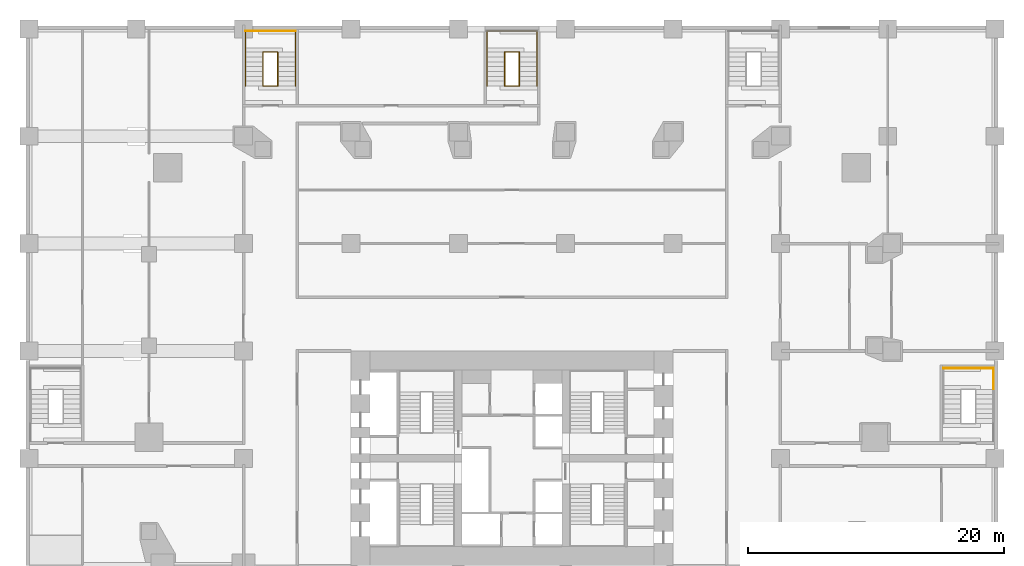
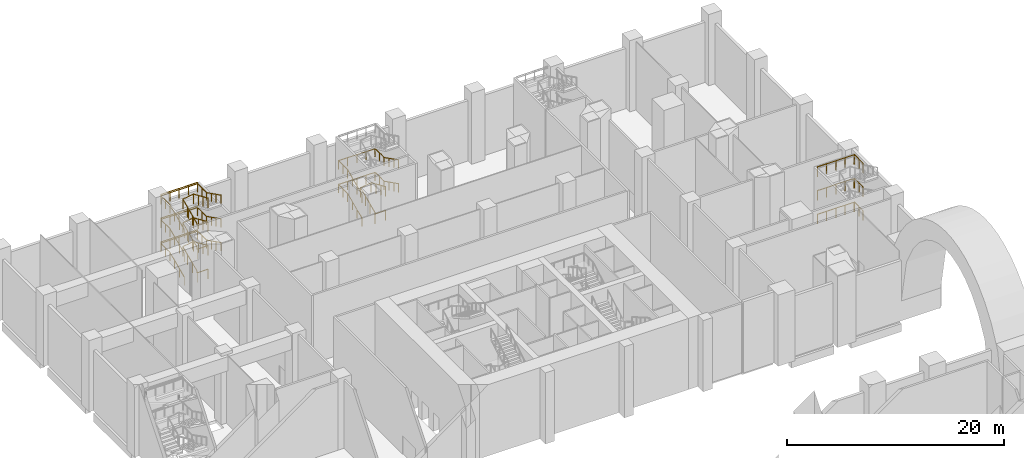
# One storey, part 18 of 19: 18 railings.
"""IFC4 building model written with IfcOpenShell, lengths in metres."""

from ifc_helpers import new_model, si_unit, direction, frame, origin, origin_2d, place, context, subcontext, project, spatial, circle, extrude, material, type_object, element, save


model = new_model("IFC4")

# Units and contexts
model_context = context("Model", 3, precision=1e-05, world=origin(), true_north=direction((0.0, 1.0)))
body_context = subcontext(model_context, "Body", "Model", "MODEL_VIEW")
ifc_project = project(units=[si_unit("LENGTHUNIT", "METRE"), si_unit("AREAUNIT", "SQUARE_METRE"), si_unit("VOLUMEUNIT", "CUBIC_METRE"), si_unit("PLANEANGLEUNIT", "RADIAN"), si_unit("MASSUNIT", "GRAM", prefix="KILO")], contexts=[model_context])

# Site, building, storey
site_placement = place(None, origin())
site = spatial("IfcSite", under=ifc_project, at=site_placement, CompositionType="ELEMENT")
building_placement = place(site_placement, origin())
building = spatial("IfcBuilding", under=site, at=building_placement, Name="Marenta Gate Hotel Tower", CompositionType="ELEMENT")
storey_placement = place(building_placement, frame((0.0, 0.0, 13.0)))
storey = spatial("IfcBuildingStorey", under=building, at=storey_placement, Name="L02", CompositionType="ELEMENT", Elevation=13.0)

# Railings
ifc_material_1 = material(Name="Stainless steel", Category="steel")
railing_type_1 = type_object("IfcRailingType", Name="Core stair handrail 950", PredefinedType="HANDRAIL", material=ifc_material_1)
railing_1_placement = place(storey_placement, frame((-20.85009765625, 37.530029296875, 0.166748046875)))
element("IfcRailing", 1, at=railing_1_placement, inside=storey, type_object=railing_type_1, Name="HR-950 L02-KR-PX3-2", PredefinedType="HANDRAIL", context=body_context, shape_type="SweptSolid", body=[
    extrude(circle(Radius=0.02392578125, at=origin_2d()), frame((0.0, 0.0, 0.92578125), z_axis=(0.0, 0.915803938995, 0.401625628317), x_axis=(-1.0, 0.0, 0.0)), (0.0, 0.0, 1.0), 2.904541015625),
    extrude(circle(Radius=0.02392578125, at=origin_2d()), frame((0.0, 2.659912109375, 2.09228515625), z_axis=(0.0, 1.0, 0.0), x_axis=(-1.0, 0.0, 0.0)), (0.0, 0.0, 1.0), 1.66015625),
    extrude(circle(Radius=0.02392578125, at=origin_2d()), frame((0.0, 4.320068359375, 2.09228515625), z_axis=(1.0, 0.0, 0.0), x_axis=(0.0, 1.0, 0.0)), (0.0, 0.0, 1.0), 3.900146484375),
    extrude(circle(Radius=0.02392578125, at=origin_2d()), frame((3.900146484375, 4.320068359375, 2.09228515625), z_axis=(0.0, -1.0, 0.0), x_axis=(1.0, 0.0, 0.0)), (0.0, 0.0, 1.0), 1.66015625),
    extrude(circle(Radius=0.02392578125, at=origin_2d()), frame((3.900146484375, 2.659912109375, 2.09228515625), z_axis=(0.0, -0.89395078604, 0.448165139362), x_axis=(1.0, 0.0, 0.0)), (0.0, 0.0, 1.0), 2.975341796875),
    extrude(circle(Radius=0.02099609375, at=origin_2d()), origin(), (0.0, 0.0, 1.0), 0.90185546875),
    extrude(circle(Radius=0.02099609375, at=origin_2d()), frame((0.0, 0.88671875, 0.388916015625)), (0.0, 0.0, 1.0), 0.90185546875),
    extrude(circle(Radius=0.02099609375, at=origin_2d()), frame((0.0, 1.773193359375, 0.777587890625)), (0.0, 0.0, 1.0), 0.90185546875),
    extrude(circle(Radius=0.02099609375, at=origin_2d()), frame((0.0, 2.659912109375, 1.16650390625)), (0.0, 0.0, 1.0), 0.90185546875),
    extrude(circle(Radius=0.02099609375, at=origin_2d()), frame((0.0, 3.489990234375, 1.16650390625)), (0.0, 0.0, 1.0), 0.90185546875),
    extrude(circle(Radius=0.02099609375, at=origin_2d()), frame((0.0, 4.320068359375, 1.16650390625)), (0.0, 0.0, 1.0), 0.90185546875),
    extrude(circle(Radius=0.02099609375, at=origin_2d()), frame((0.97509765625, 4.320068359375, 1.16650390625)), (0.0, 0.0, 1.0), 0.90185546875),
    extrude(circle(Radius=0.02099609375, at=origin_2d()), frame((1.9501953125, 4.320068359375, 1.16650390625)), (0.0, 0.0, 1.0), 0.90185546875),
    extrude(circle(Radius=0.02099609375, at=origin_2d()), frame((2.925048828125, 4.320068359375, 1.16650390625)), (0.0, 0.0, 1.0), 0.90185546875),
    extrude(circle(Radius=0.02099609375, at=origin_2d()), frame((3.900146484375, 4.320068359375, 1.16650390625)), (0.0, 0.0, 1.0), 0.90185546875),
    extrude(circle(Radius=0.02099609375, at=origin_2d()), frame((3.900146484375, 3.489990234375, 1.16650390625)), (0.0, 0.0, 1.0), 0.90185546875),
    extrude(circle(Radius=0.02099609375, at=origin_2d()), frame((3.900146484375, 2.659912109375, 1.16650390625)), (0.0, 0.0, 1.0), 0.90185546875),
    extrude(circle(Radius=0.02099609375, at=origin_2d()), frame((3.900146484375, 1.773193359375, 1.611083984375)), (0.0, 0.0, 1.0), 0.90185546875),
    extrude(circle(Radius=0.02099609375, at=origin_2d()), frame((3.900146484375, 0.88671875, 2.055419921875)), (0.0, 0.0, 1.0), 0.90185546875),
    extrude(circle(Radius=0.02099609375, at=origin_2d()), frame((3.900146484375, 0.0, 2.5)), (0.0, 0.0, 1.0), 0.90185546875),
])
railing_2_placement = place(storey_placement, frame((-20.85009765625, 37.530029296875, 2.833251953125)))
element("IfcRailing", 2, at=railing_2_placement, inside=storey, type_object=railing_type_1, Name="HR-950 L02-KR-PX3-5", PredefinedType="HANDRAIL", context=body_context, shape_type="SweptSolid", body=[
    extrude(circle(Radius=0.02392578125, at=origin_2d()), frame((0.0, 0.0, 0.92578125), z_axis=(0.0, 0.915773020194, 0.401696123314), x_axis=(-1.0, 0.0, 0.0)), (0.0, 0.0, 1.0), 2.904541015625),
    extrude(circle(Radius=0.02392578125, at=origin_2d()), frame((0.0, 2.659912109375, 2.0927734375), z_axis=(0.0, 1.0, 0.0), x_axis=(-1.0, 0.0, 0.0)), (0.0, 0.0, 1.0), 1.66015625),
    extrude(circle(Radius=0.02392578125, at=origin_2d()), frame((0.0, 4.320068359375, 2.0927734375), z_axis=(1.0, 0.0, 0.0), x_axis=(0.0, 1.0, 0.0)), (0.0, 0.0, 1.0), 3.900146484375),
    extrude(circle(Radius=0.02392578125, at=origin_2d()), frame((3.900146484375, 4.320068359375, 2.0927734375), z_axis=(0.0, -1.0, 0.0), x_axis=(1.0, 0.0, 0.0)), (0.0, 0.0, 1.0), 1.66015625),
    extrude(circle(Radius=0.02392578125, at=origin_2d()), frame((3.900146484375, 2.659912109375, 2.0927734375), z_axis=(0.0, -0.893983657746, 0.448099564475), x_axis=(1.0, 0.0, 0.0)), (0.0, 0.0, 1.0), 2.975341796875),
    extrude(circle(Radius=0.02099609375, at=origin_2d()), origin(), (0.0, 0.0, 1.0), 0.90185546875),
    extrude(circle(Radius=0.02099609375, at=origin_2d()), frame((0.0, 0.88671875, 0.388916015625)), (0.0, 0.0, 1.0), 0.90185546875),
    extrude(circle(Radius=0.02099609375, at=origin_2d()), frame((0.0, 1.773193359375, 0.77783203125)), (0.0, 0.0, 1.0), 0.90185546875),
    extrude(circle(Radius=0.02099609375, at=origin_2d()), frame((0.0, 2.659912109375, 1.166748046875)), (0.0, 0.0, 1.0), 0.90185546875),
    extrude(circle(Radius=0.02099609375, at=origin_2d()), frame((0.0, 3.489990234375, 1.166748046875)), (0.0, 0.0, 1.0), 0.90185546875),
    extrude(circle(Radius=0.02099609375, at=origin_2d()), frame((0.0, 4.320068359375, 1.166748046875)), (0.0, 0.0, 1.0), 0.90185546875),
    extrude(circle(Radius=0.02099609375, at=origin_2d()), frame((0.97509765625, 4.320068359375, 1.166748046875)), (0.0, 0.0, 1.0), 0.90185546875),
    extrude(circle(Radius=0.02099609375, at=origin_2d()), frame((1.9501953125, 4.320068359375, 1.166748046875)), (0.0, 0.0, 1.0), 0.90185546875),
    extrude(circle(Radius=0.02099609375, at=origin_2d()), frame((2.925048828125, 4.320068359375, 1.166748046875)), (0.0, 0.0, 1.0), 0.90185546875),
    extrude(circle(Radius=0.02099609375, at=origin_2d()), frame((3.900146484375, 4.320068359375, 1.166748046875)), (0.0, 0.0, 1.0), 0.90185546875),
    extrude(circle(Radius=0.02099609375, at=origin_2d()), frame((3.900146484375, 3.489990234375, 1.166748046875)), (0.0, 0.0, 1.0), 0.90185546875),
    extrude(circle(Radius=0.02099609375, at=origin_2d()), frame((3.900146484375, 2.659912109375, 1.166748046875)), (0.0, 0.0, 1.0), 0.90185546875),
    extrude(circle(Radius=0.02099609375, at=origin_2d()), frame((3.900146484375, 1.773193359375, 1.611083984375)), (0.0, 0.0, 1.0), 0.90185546875),
    extrude(circle(Radius=0.02099609375, at=origin_2d()), frame((3.900146484375, 0.88671875, 2.0556640625)), (0.0, 0.0, 1.0), 0.90185546875),
    extrude(circle(Radius=0.02099609375, at=origin_2d()), frame((3.900146484375, 0.0, 2.5)), (0.0, 0.0, 1.0), 0.90185546875),
])
railing_3_placement = place(storey_placement, frame((-20.85009765625, 37.530029296875, 5.5)))
element("IfcRailing", 3, at=railing_3_placement, inside=storey, type_object=railing_type_1, Name="HR-950 L02-KR-PX3-8", PredefinedType="HANDRAIL", context=body_context, shape_type="SweptSolid", body=[
    extrude(circle(Radius=0.02392578125, at=origin_2d()), frame((0.0, 0.0, 0.92578125), z_axis=(0.0, 0.915773020194, 0.401696123314), x_axis=(-1.0, 0.0, 0.0)), (0.0, 0.0, 1.0), 2.904541015625),
    extrude(circle(Radius=0.02392578125, at=origin_2d()), frame((0.0, 2.659912109375, 2.0927734375), z_axis=(0.0, 1.0, 0.0), x_axis=(-1.0, 0.0, 0.0)), (0.0, 0.0, 1.0), 1.66015625),
    extrude(circle(Radius=0.02392578125, at=origin_2d()), frame((0.0, 4.320068359375, 2.0927734375), z_axis=(1.0, 0.0, 0.0), x_axis=(0.0, 1.0, 0.0)), (0.0, 0.0, 1.0), 3.900146484375),
    extrude(circle(Radius=0.02392578125, at=origin_2d()), frame((3.900146484375, 4.320068359375, 2.0927734375), z_axis=(0.0, -1.0, 0.0), x_axis=(1.0, 0.0, 0.0)), (0.0, 0.0, 1.0), 1.66015625),
    extrude(circle(Radius=0.02392578125, at=origin_2d()), frame((3.900146484375, 2.659912109375, 2.0927734375), z_axis=(0.0, -0.893983657746, 0.448099564475), x_axis=(1.0, 0.0, 0.0)), (0.0, 0.0, 1.0), 2.975341796875),
    extrude(circle(Radius=0.02099609375, at=origin_2d()), origin(), (0.0, 0.0, 1.0), 0.90185546875),
    extrude(circle(Radius=0.02099609375, at=origin_2d()), frame((0.0, 0.88671875, 0.388916015625)), (0.0, 0.0, 1.0), 0.90185546875),
    extrude(circle(Radius=0.02099609375, at=origin_2d()), frame((0.0, 1.773193359375, 0.77783203125)), (0.0, 0.0, 1.0), 0.90185546875),
    extrude(circle(Radius=0.02099609375, at=origin_2d()), frame((0.0, 2.659912109375, 1.166748046875)), (0.0, 0.0, 1.0), 0.90185546875),
    extrude(circle(Radius=0.02099609375, at=origin_2d()), frame((0.0, 3.489990234375, 1.166748046875)), (0.0, 0.0, 1.0), 0.90185546875),
    extrude(circle(Radius=0.02099609375, at=origin_2d()), frame((0.0, 4.320068359375, 1.166748046875)), (0.0, 0.0, 1.0), 0.90185546875),
    extrude(circle(Radius=0.02099609375, at=origin_2d()), frame((0.97509765625, 4.320068359375, 1.166748046875)), (0.0, 0.0, 1.0), 0.90185546875),
    extrude(circle(Radius=0.02099609375, at=origin_2d()), frame((1.9501953125, 4.320068359375, 1.166748046875)), (0.0, 0.0, 1.0), 0.90185546875),
    extrude(circle(Radius=0.02099609375, at=origin_2d()), frame((2.925048828125, 4.320068359375, 1.166748046875)), (0.0, 0.0, 1.0), 0.90185546875),
    extrude(circle(Radius=0.02099609375, at=origin_2d()), frame((3.900146484375, 4.320068359375, 1.166748046875)), (0.0, 0.0, 1.0), 0.90185546875),
    extrude(circle(Radius=0.02099609375, at=origin_2d()), frame((3.900146484375, 3.489990234375, 1.166748046875)), (0.0, 0.0, 1.0), 0.90185546875),
    extrude(circle(Radius=0.02099609375, at=origin_2d()), frame((3.900146484375, 2.659912109375, 1.166748046875)), (0.0, 0.0, 1.0), 0.90185546875),
    extrude(circle(Radius=0.02099609375, at=origin_2d()), frame((3.900146484375, 1.773193359375, 1.611083984375)), (0.0, 0.0, 1.0), 0.90185546875),
    extrude(circle(Radius=0.02099609375, at=origin_2d()), frame((3.900146484375, 0.88671875, 2.0556640625)), (0.0, 0.0, 1.0), 0.90185546875),
    extrude(circle(Radius=0.02099609375, at=origin_2d()), frame((3.900146484375, 0.0, 2.5)), (0.0, 0.0, 1.0), 0.90185546875),
])
railing_4_placement = place(storey_placement, frame((-1.949951171875, 37.530029296875, 0.166748046875)))
element("IfcRailing", 4, at=railing_4_placement, inside=storey, type_object=railing_type_1, Name="HR-950 L02-KR-PX8-2", PredefinedType="HANDRAIL", context=body_context, shape_type="SweptSolid", body=[
    extrude(circle(Radius=0.02392578125, at=origin_2d()), frame((0.0, 0.0, 0.92578125), z_axis=(0.0, 0.915803938995, 0.401625628317), x_axis=(-1.0, 0.0, 0.0)), (0.0, 0.0, 1.0), 2.904541015625),
    extrude(circle(Radius=0.02392578125, at=origin_2d()), frame((0.0, 2.659912109375, 2.09228515625), z_axis=(0.0, 1.0, 0.0), x_axis=(-1.0, 0.0, 0.0)), (0.0, 0.0, 1.0), 1.66015625),
    extrude(circle(Radius=0.02392578125, at=origin_2d()), frame((0.0, 4.320068359375, 2.09228515625), z_axis=(1.0, 0.0, 0.0), x_axis=(0.0, 1.0, 0.0)), (0.0, 0.0, 1.0), 3.89990234375),
    extrude(circle(Radius=0.02392578125, at=origin_2d()), frame((3.89990234375, 4.320068359375, 2.09228515625), z_axis=(0.0, -1.0, 0.0), x_axis=(1.0, 0.0, 0.0)), (0.0, 0.0, 1.0), 1.66015625),
    extrude(circle(Radius=0.02392578125, at=origin_2d()), frame((3.89990234375, 2.659912109375, 2.09228515625), z_axis=(0.0, -0.89395078604, 0.448165139362), x_axis=(1.0, 0.0, 0.0)), (0.0, 0.0, 1.0), 2.975341796875),
    extrude(circle(Radius=0.02099609375, at=origin_2d()), origin(), (0.0, 0.0, 1.0), 0.90185546875),
    extrude(circle(Radius=0.02099609375, at=origin_2d()), frame((0.0, 0.88671875, 0.388916015625)), (0.0, 0.0, 1.0), 0.90185546875),
    extrude(circle(Radius=0.02099609375, at=origin_2d()), frame((0.0, 1.773193359375, 0.777587890625)), (0.0, 0.0, 1.0), 0.90185546875),
    extrude(circle(Radius=0.02099609375, at=origin_2d()), frame((0.0, 2.659912109375, 1.16650390625)), (0.0, 0.0, 1.0), 0.90185546875),
    extrude(circle(Radius=0.02099609375, at=origin_2d()), frame((0.0, 3.489990234375, 1.16650390625)), (0.0, 0.0, 1.0), 0.90185546875),
    extrude(circle(Radius=0.02099609375, at=origin_2d()), frame((0.0, 4.320068359375, 1.16650390625)), (0.0, 0.0, 1.0), 0.90185546875),
    extrude(circle(Radius=0.02099609375, at=origin_2d()), frame((0.97509765625, 4.320068359375, 1.16650390625)), (0.0, 0.0, 1.0), 0.90185546875),
    extrude(circle(Radius=0.02099609375, at=origin_2d()), frame((1.949951171875, 4.320068359375, 1.16650390625)), (0.0, 0.0, 1.0), 0.90185546875),
    extrude(circle(Radius=0.02099609375, at=origin_2d()), frame((2.9248046875, 4.320068359375, 1.16650390625)), (0.0, 0.0, 1.0), 0.90185546875),
    extrude(circle(Radius=0.02099609375, at=origin_2d()), frame((3.89990234375, 4.320068359375, 1.16650390625)), (0.0, 0.0, 1.0), 0.90185546875),
    extrude(circle(Radius=0.02099609375, at=origin_2d()), frame((3.89990234375, 3.489990234375, 1.16650390625)), (0.0, 0.0, 1.0), 0.90185546875),
    extrude(circle(Radius=0.02099609375, at=origin_2d()), frame((3.89990234375, 2.659912109375, 1.16650390625)), (0.0, 0.0, 1.0), 0.90185546875),
    extrude(circle(Radius=0.02099609375, at=origin_2d()), frame((3.89990234375, 1.773193359375, 1.611083984375)), (0.0, 0.0, 1.0), 0.90185546875),
    extrude(circle(Radius=0.02099609375, at=origin_2d()), frame((3.89990234375, 0.88671875, 2.055419921875)), (0.0, 0.0, 1.0), 0.90185546875),
    extrude(circle(Radius=0.02099609375, at=origin_2d()), frame((3.89990234375, 0.0, 2.5)), (0.0, 0.0, 1.0), 0.90185546875),
])
railing_5_placement = place(storey_placement, frame((-1.949951171875, 37.530029296875, 2.833251953125)))
element("IfcRailing", 5, at=railing_5_placement, inside=storey, type_object=railing_type_1, Name="HR-950 L02-KR-PX8-5", PredefinedType="HANDRAIL", context=body_context, shape_type="SweptSolid", body=[
    extrude(circle(Radius=0.02392578125, at=origin_2d()), frame((0.0, 0.0, 0.92578125), z_axis=(0.0, 0.915773020194, 0.401696123314), x_axis=(-1.0, 0.0, 0.0)), (0.0, 0.0, 1.0), 2.904541015625),
    extrude(circle(Radius=0.02392578125, at=origin_2d()), frame((0.0, 2.659912109375, 2.0927734375), z_axis=(0.0, 1.0, 0.0), x_axis=(-1.0, 0.0, 0.0)), (0.0, 0.0, 1.0), 1.66015625),
    extrude(circle(Radius=0.02392578125, at=origin_2d()), frame((0.0, 4.320068359375, 2.0927734375), z_axis=(1.0, 0.0, 0.0), x_axis=(0.0, 1.0, 0.0)), (0.0, 0.0, 1.0), 3.89990234375),
    extrude(circle(Radius=0.02392578125, at=origin_2d()), frame((3.89990234375, 4.320068359375, 2.0927734375), z_axis=(0.0, -1.0, 0.0), x_axis=(1.0, 0.0, 0.0)), (0.0, 0.0, 1.0), 1.66015625),
    extrude(circle(Radius=0.02392578125, at=origin_2d()), frame((3.89990234375, 2.659912109375, 2.0927734375), z_axis=(0.0, -0.893983657746, 0.448099564475), x_axis=(1.0, 0.0, 0.0)), (0.0, 0.0, 1.0), 2.975341796875),
    extrude(circle(Radius=0.02099609375, at=origin_2d()), origin(), (0.0, 0.0, 1.0), 0.90185546875),
    extrude(circle(Radius=0.02099609375, at=origin_2d()), frame((0.0, 0.88671875, 0.388916015625)), (0.0, 0.0, 1.0), 0.90185546875),
    extrude(circle(Radius=0.02099609375, at=origin_2d()), frame((0.0, 1.773193359375, 0.77783203125)), (0.0, 0.0, 1.0), 0.90185546875),
    extrude(circle(Radius=0.02099609375, at=origin_2d()), frame((0.0, 2.659912109375, 1.166748046875)), (0.0, 0.0, 1.0), 0.90185546875),
    extrude(circle(Radius=0.02099609375, at=origin_2d()), frame((0.0, 3.489990234375, 1.166748046875)), (0.0, 0.0, 1.0), 0.90185546875),
    extrude(circle(Radius=0.02099609375, at=origin_2d()), frame((0.0, 4.320068359375, 1.166748046875)), (0.0, 0.0, 1.0), 0.90185546875),
    extrude(circle(Radius=0.02099609375, at=origin_2d()), frame((0.97509765625, 4.320068359375, 1.166748046875)), (0.0, 0.0, 1.0), 0.90185546875),
    extrude(circle(Radius=0.02099609375, at=origin_2d()), frame((1.949951171875, 4.320068359375, 1.166748046875)), (0.0, 0.0, 1.0), 0.90185546875),
    extrude(circle(Radius=0.02099609375, at=origin_2d()), frame((2.9248046875, 4.320068359375, 1.166748046875)), (0.0, 0.0, 1.0), 0.90185546875),
    extrude(circle(Radius=0.02099609375, at=origin_2d()), frame((3.89990234375, 4.320068359375, 1.166748046875)), (0.0, 0.0, 1.0), 0.90185546875),
    extrude(circle(Radius=0.02099609375, at=origin_2d()), frame((3.89990234375, 3.489990234375, 1.166748046875)), (0.0, 0.0, 1.0), 0.90185546875),
    extrude(circle(Radius=0.02099609375, at=origin_2d()), frame((3.89990234375, 2.659912109375, 1.166748046875)), (0.0, 0.0, 1.0), 0.90185546875),
    extrude(circle(Radius=0.02099609375, at=origin_2d()), frame((3.89990234375, 1.773193359375, 1.611083984375)), (0.0, 0.0, 1.0), 0.90185546875),
    extrude(circle(Radius=0.02099609375, at=origin_2d()), frame((3.89990234375, 0.88671875, 2.0556640625)), (0.0, 0.0, 1.0), 0.90185546875),
    extrude(circle(Radius=0.02099609375, at=origin_2d()), frame((3.89990234375, 0.0, 2.5)), (0.0, 0.0, 1.0), 0.90185546875),
])
ifc_material_2 = material(Name="Stainless steel", Category="steel")
railing_type_2 = type_object("IfcRailingType", Name="Core stair well guard 1100", PredefinedType="GUARDRAIL", material=ifc_material_2)
railing_6_placement = place(storey_placement, frame((-20.85009765625, 41.85009765625, 1.333251953125)))
element("IfcRailing", 6, at=railing_6_placement, inside=storey, type_object=railing_type_2, Name="GR-1100 L02-KR-PX3-1", PredefinedType="GUARDRAIL", context=body_context, shape_type="SweptSolid", body=[
    extrude(circle(Radius=0.02392578125, at=origin_2d()), frame((0.0, 0.0, 1.076171875), z_axis=(1.0, 0.0, 0.0), x_axis=(0.0, 1.0, 0.0)), (0.0, 0.0, 1.0), 3.900146484375),
    extrude(circle(Radius=0.02099609375, at=origin_2d()), origin(), (0.0, 0.0, 1.0), 1.052001953125),
    extrude(circle(Radius=0.02099609375, at=origin_2d()), frame((0.97509765625, 0.0, 0.0)), (0.0, 0.0, 1.0), 1.052001953125),
    extrude(circle(Radius=0.02099609375, at=origin_2d()), frame((1.9501953125, 0.0, 0.0)), (0.0, 0.0, 1.0), 1.052001953125),
    extrude(circle(Radius=0.02099609375, at=origin_2d()), frame((2.925048828125, 0.0, 0.0)), (0.0, 0.0, 1.0), 1.052001953125),
    extrude(circle(Radius=0.02099609375, at=origin_2d()), frame((3.900146484375, 0.0, 0.0)), (0.0, 0.0, 1.0), 1.052001953125),
])
railing_7_placement = place(storey_placement, frame((-18.330078125, 37.530029296875, 0.0)))
element("IfcRailing", 7, at=railing_7_placement, inside=storey, type_object=railing_type_2, Name="GR-1100 L02-KR-PX3-3", PredefinedType="GUARDRAIL", context=body_context, shape_type="SweptSolid", body=[
    extrude(circle(Radius=0.02392578125, at=origin_2d()), frame((0.0, 0.0, 1.076171875), z_axis=(-1.0, 0.0, 0.0), x_axis=(0.0, -1.0, 0.0)), (0.0, 0.0, 1.0), 1.139892578125),
    extrude(circle(Radius=0.02392578125, at=origin_2d()), frame((-1.139892578125, 0.0, 1.076171875), z_axis=(0.0, 0.0, 1.0), x_axis=(1.0, 0.0, 0.0)), (0.0, 0.0, 1.0), 0.166748046875),
    extrude(circle(Radius=0.02392578125, at=origin_2d()), frame((-1.139892578125, 0.0, 1.24267578125), z_axis=(0.0, 0.915803938995, 0.401625628317), x_axis=(-1.0, 0.0, 0.0)), (0.0, 0.0, 1.0), 2.904541015625),
    extrude(circle(Radius=0.02392578125, at=origin_2d()), frame((-1.139892578125, 2.659912109375, 2.4091796875), z_axis=(0.989469208712, 0.0, 0.144743514575), x_axis=(0.0, 1.0, 0.0)), (0.0, 0.0, 1.0), 1.152099609375),
    extrude(circle(Radius=0.02392578125, at=origin_2d()), frame((0.0, 2.659912109375, 2.576171875), z_axis=(0.0, -0.915773020194, 0.401696123314), x_axis=(1.0, 0.0, 0.0)), (0.0, 0.0, 1.0), 2.904541015625),
    extrude(circle(Radius=0.02099609375, at=origin_2d()), origin(), (0.0, 0.0, 1.0), 1.052001953125),
    extrude(circle(Radius=0.02099609375, at=origin_2d()), frame((-1.139892578125, 0.0, 0.0)), (0.0, 0.0, 1.0), 1.052001953125),
    extrude(circle(Radius=0.02099609375, at=origin_2d()), frame((-1.139892578125, 0.0, 0.166748046875)), (0.0, 0.0, 1.0), 1.052001953125),
    extrude(circle(Radius=0.02099609375, at=origin_2d()), frame((-1.139892578125, 0.88671875, 0.5556640625)), (0.0, 0.0, 1.0), 1.052001953125),
    extrude(circle(Radius=0.02099609375, at=origin_2d()), frame((-1.139892578125, 1.773193359375, 0.9443359375)), (0.0, 0.0, 1.0), 1.052001953125),
    extrude(circle(Radius=0.02099609375, at=origin_2d()), frame((-1.139892578125, 2.659912109375, 1.333251953125)), (0.0, 0.0, 1.0), 1.052001953125),
    extrude(circle(Radius=0.02099609375, at=origin_2d()), frame((0.0, 2.659912109375, 1.5)), (0.0, 0.0, 1.0), 1.052001953125),
    extrude(circle(Radius=0.02099609375, at=origin_2d()), frame((0.0, 1.773193359375, 1.888916015625)), (0.0, 0.0, 1.0), 1.052001953125),
    extrude(circle(Radius=0.02099609375, at=origin_2d()), frame((0.0, 0.88671875, 2.27783203125)), (0.0, 0.0, 1.0), 1.052001953125),
    extrude(circle(Radius=0.02099609375, at=origin_2d()), frame((0.0, 0.0, 2.666748046875)), (0.0, 0.0, 1.0), 1.052001953125),
])
railing_8_placement = place(storey_placement, frame((-20.85009765625, 41.85009765625, 4.0)))
element("IfcRailing", 8, at=railing_8_placement, inside=storey, type_object=railing_type_2, Name="GR-1100 L02-KR-PX3-4", PredefinedType="GUARDRAIL", context=body_context, shape_type="SweptSolid", body=[
    extrude(circle(Radius=0.02392578125, at=origin_2d()), frame((0.0, 0.0, 1.076171875), z_axis=(1.0, 0.0, 0.0), x_axis=(0.0, 1.0, 0.0)), (0.0, 0.0, 1.0), 3.900146484375),
    extrude(circle(Radius=0.02099609375, at=origin_2d()), origin(), (0.0, 0.0, 1.0), 1.052001953125),
    extrude(circle(Radius=0.02099609375, at=origin_2d()), frame((0.97509765625, 0.0, 0.0)), (0.0, 0.0, 1.0), 1.052001953125),
    extrude(circle(Radius=0.02099609375, at=origin_2d()), frame((1.9501953125, 0.0, 0.0)), (0.0, 0.0, 1.0), 1.052001953125),
    extrude(circle(Radius=0.02099609375, at=origin_2d()), frame((2.925048828125, 0.0, 0.0)), (0.0, 0.0, 1.0), 1.052001953125),
    extrude(circle(Radius=0.02099609375, at=origin_2d()), frame((3.900146484375, 0.0, 0.0)), (0.0, 0.0, 1.0), 1.052001953125),
])
railing_9_placement = place(storey_placement, frame((-18.330078125, 37.530029296875, 2.666748046875)))
element("IfcRailing", 9, at=railing_9_placement, inside=storey, type_object=railing_type_2, Name="GR-1100 L02-KR-PX3-6", PredefinedType="GUARDRAIL", context=body_context, shape_type="SweptSolid", body=[
    extrude(circle(Radius=0.02392578125, at=origin_2d()), frame((0.0, 0.0, 1.076171875), z_axis=(-1.0, 0.0, 0.0), x_axis=(0.0, -1.0, 0.0)), (0.0, 0.0, 1.0), 1.139892578125),
    extrude(circle(Radius=0.02392578125, at=origin_2d()), frame((-1.139892578125, 0.0, 1.076171875), z_axis=(0.0, 0.0, 1.0), x_axis=(1.0, 0.0, 0.0)), (0.0, 0.0, 1.0), 0.16650390625),
    extrude(circle(Radius=0.02392578125, at=origin_2d()), frame((-1.139892578125, 0.0, 1.24267578125), z_axis=(0.0, 0.915773020194, 0.401696123314), x_axis=(-1.0, 0.0, 0.0)), (0.0, 0.0, 1.0), 2.904541015625),
    extrude(circle(Radius=0.02392578125, at=origin_2d()), frame((-1.139892578125, 2.659912109375, 2.4091796875), z_axis=(0.989469208712, 0.0, 0.144743514575), x_axis=(0.0, 1.0, 0.0)), (0.0, 0.0, 1.0), 1.152099609375),
    extrude(circle(Radius=0.02392578125, at=origin_2d()), frame((0.0, 2.659912109375, 2.576171875), z_axis=(0.0, -0.915803938995, 0.401625628317), x_axis=(1.0, 0.0, 0.0)), (0.0, 0.0, 1.0), 2.904541015625),
    extrude(circle(Radius=0.02099609375, at=origin_2d()), origin(), (0.0, 0.0, 1.0), 1.052001953125),
    extrude(circle(Radius=0.02099609375, at=origin_2d()), frame((-1.139892578125, 0.0, 0.0)), (0.0, 0.0, 1.0), 1.052001953125),
    extrude(circle(Radius=0.02099609375, at=origin_2d()), frame((-1.139892578125, 0.0, 0.16650390625)), (0.0, 0.0, 1.0), 1.052001953125),
    extrude(circle(Radius=0.02099609375, at=origin_2d()), frame((-1.139892578125, 0.88671875, 0.555419921875)), (0.0, 0.0, 1.0), 1.052001953125),
    extrude(circle(Radius=0.02099609375, at=origin_2d()), frame((-1.139892578125, 1.773193359375, 0.9443359375)), (0.0, 0.0, 1.0), 1.052001953125),
    extrude(circle(Radius=0.02099609375, at=origin_2d()), frame((-1.139892578125, 2.659912109375, 1.333251953125)), (0.0, 0.0, 1.0), 1.052001953125),
    extrude(circle(Radius=0.02099609375, at=origin_2d()), frame((0.0, 2.659912109375, 1.5)), (0.0, 0.0, 1.0), 1.052001953125),
    extrude(circle(Radius=0.02099609375, at=origin_2d()), frame((0.0, 1.773193359375, 1.888916015625)), (0.0, 0.0, 1.0), 1.052001953125),
    extrude(circle(Radius=0.02099609375, at=origin_2d()), frame((0.0, 0.88671875, 2.277587890625)), (0.0, 0.0, 1.0), 1.052001953125),
    extrude(circle(Radius=0.02099609375, at=origin_2d()), frame((0.0, 0.0, 2.66650390625)), (0.0, 0.0, 1.0), 1.052001953125),
])
railing_10_placement = place(storey_placement, frame((-20.85009765625, 41.85009765625, 6.666748046875)))
element("IfcRailing", 10, at=railing_10_placement, inside=storey, type_object=railing_type_2, Name="GR-1100 L02-KR-PX3-7", PredefinedType="GUARDRAIL", context=body_context, shape_type="SweptSolid", body=[
    extrude(circle(Radius=0.02392578125, at=origin_2d()), frame((0.0, 0.0, 1.076171875), z_axis=(1.0, 0.0, 0.0), x_axis=(0.0, 1.0, 0.0)), (0.0, 0.0, 1.0), 3.900146484375),
    extrude(circle(Radius=0.02099609375, at=origin_2d()), origin(), (0.0, 0.0, 1.0), 1.052001953125),
    extrude(circle(Radius=0.02099609375, at=origin_2d()), frame((0.97509765625, 0.0, 0.0)), (0.0, 0.0, 1.0), 1.052001953125),
    extrude(circle(Radius=0.02099609375, at=origin_2d()), frame((1.9501953125, 0.0, 0.0)), (0.0, 0.0, 1.0), 1.052001953125),
    extrude(circle(Radius=0.02099609375, at=origin_2d()), frame((2.925048828125, 0.0, 0.0)), (0.0, 0.0, 1.0), 1.052001953125),
    extrude(circle(Radius=0.02099609375, at=origin_2d()), frame((3.900146484375, 0.0, 0.0)), (0.0, 0.0, 1.0), 1.052001953125),
])
railing_11_placement = place(storey_placement, frame((-18.330078125, 37.530029296875, 5.333251953125)))
element("IfcRailing", 11, at=railing_11_placement, inside=storey, type_object=railing_type_2, Name="GR-1100 L02-KR-PX3-9", PredefinedType="GUARDRAIL", context=body_context, shape_type="SweptSolid", body=[
    extrude(circle(Radius=0.02392578125, at=origin_2d()), frame((0.0, 0.0, 1.076171875), z_axis=(-1.0, 0.0, 0.0), x_axis=(0.0, -1.0, 0.0)), (0.0, 0.0, 1.0), 1.139892578125),
    extrude(circle(Radius=0.02392578125, at=origin_2d()), frame((-1.139892578125, 0.0, 1.076171875), z_axis=(0.0, 0.0, 1.0), x_axis=(1.0, 0.0, 0.0)), (0.0, 0.0, 1.0), 0.166748046875),
    extrude(circle(Radius=0.02392578125, at=origin_2d()), frame((-1.139892578125, 0.0, 1.24267578125), z_axis=(0.0, 0.915773020194, 0.401696123314), x_axis=(-1.0, 0.0, 0.0)), (0.0, 0.0, 1.0), 2.904541015625),
    extrude(circle(Radius=0.02392578125, at=origin_2d()), frame((-1.139892578125, 2.659912109375, 2.40966796875), z_axis=(0.989499539362, 0.0, 0.144536021813), x_axis=(0.0, 1.0, 0.0)), (0.0, 0.0, 1.0), 1.152099609375),
    extrude(circle(Radius=0.02392578125, at=origin_2d()), frame((0.0, 2.659912109375, 2.576171875), z_axis=(0.0, -0.915773020194, 0.401696123314), x_axis=(1.0, 0.0, 0.0)), (0.0, 0.0, 1.0), 2.904541015625),
    extrude(circle(Radius=0.02099609375, at=origin_2d()), origin(), (0.0, 0.0, 1.0), 1.052001953125),
    extrude(circle(Radius=0.02099609375, at=origin_2d()), frame((-1.139892578125, 0.0, 0.0)), (0.0, 0.0, 1.0), 1.052001953125),
    extrude(circle(Radius=0.02099609375, at=origin_2d()), frame((-1.139892578125, 0.0, 0.166748046875)), (0.0, 0.0, 1.0), 1.052001953125),
    extrude(circle(Radius=0.02099609375, at=origin_2d()), frame((-1.139892578125, 0.88671875, 0.5556640625)), (0.0, 0.0, 1.0), 1.052001953125),
    extrude(circle(Radius=0.02099609375, at=origin_2d()), frame((-1.139892578125, 1.773193359375, 0.944580078125)), (0.0, 0.0, 1.0), 1.052001953125),
    extrude(circle(Radius=0.02099609375, at=origin_2d()), frame((-1.139892578125, 2.659912109375, 1.33349609375)), (0.0, 0.0, 1.0), 1.052001953125),
    extrude(circle(Radius=0.02099609375, at=origin_2d()), frame((0.0, 2.659912109375, 1.5)), (0.0, 0.0, 1.0), 1.052001953125),
    extrude(circle(Radius=0.02099609375, at=origin_2d()), frame((0.0, 1.773193359375, 1.888916015625)), (0.0, 0.0, 1.0), 1.052001953125),
    extrude(circle(Radius=0.02099609375, at=origin_2d()), frame((0.0, 0.88671875, 2.27783203125)), (0.0, 0.0, 1.0), 1.052001953125),
    extrude(circle(Radius=0.02099609375, at=origin_2d()), frame((0.0, 0.0, 2.666748046875)), (0.0, 0.0, 1.0), 1.052001953125),
])
for number, where, name in (
    (12, (33.75, 15.449951171875, 1.333251953125), "GR-1100 L02-KR-PX7-1"),
    (13, (33.75, 15.449951171875, 4.0), "GR-1100 L02-KR-PX7-4"),
    (14, (33.75, 15.449951171875, 6.666748046875), "GR-1100 L02-KR-PX7-7"),
):
    element("IfcRailing", number, at=place(storey_placement, frame(where)), inside=storey, type_object=railing_type_2, Name=name, PredefinedType="GUARDRAIL", context=body_context, shape_type="SweptSolid", body=[
        extrude(circle(Radius=0.02392578125, at=origin_2d()), frame((0.0, 0.0, 1.076171875), z_axis=(1.0, 0.0, 0.0), x_axis=(0.0, 1.0, 0.0)), (0.0, 0.0, 1.0), 3.89990234375),
        extrude(circle(Radius=0.02099609375, at=origin_2d()), origin(), (0.0, 0.0, 1.0), 1.052001953125),
        extrude(circle(Radius=0.02099609375, at=origin_2d()), frame((0.97509765625, 0.0, 0.0)), (0.0, 0.0, 1.0), 1.052001953125),
        extrude(circle(Radius=0.02099609375, at=origin_2d()), frame((1.949951171875, 0.0, 0.0)), (0.0, 0.0, 1.0), 1.052001953125),
        extrude(circle(Radius=0.02099609375, at=origin_2d()), frame((2.9248046875, 0.0, 0.0)), (0.0, 0.0, 1.0), 1.052001953125),
        extrude(circle(Radius=0.02099609375, at=origin_2d()), frame((3.89990234375, 0.0, 0.0)), (0.0, 0.0, 1.0), 1.052001953125),
    ])
for number, where, name in (
    (15, (37.679931640625, 13.840087890625, 1.333251953125), "GR-1100 L02-KR-PX7-10"),
    (16, (37.679931640625, 13.840087890625, 4.0), "GR-1100 L02-KR-PX7-12"),
    (17, (37.679931640625, 13.840087890625, 6.666748046875), "GR-1100 L02-KR-PX7-14"),
):
    element("IfcRailing", number, at=place(storey_placement, frame(where)), inside=storey, type_object=railing_type_2, Name=name, PredefinedType="GUARDRAIL", context=body_context, shape_type="SweptSolid", body=[
        extrude(circle(Radius=0.02392578125, at=origin_2d()), frame((0.0, 0.0, 1.076171875), z_axis=(0.0, 1.0, 0.0), x_axis=(-1.0, 0.0, 0.0)), (0.0, 0.0, 1.0), 1.60986328125),
        extrude(circle(Radius=0.02099609375, at=origin_2d()), origin(), (0.0, 0.0, 1.0), 1.052001953125),
        extrude(circle(Radius=0.02099609375, at=origin_2d()), frame((0.0, 0.804931640625, 0.0)), (0.0, 0.0, 1.0), 1.052001953125),
        extrude(circle(Radius=0.02099609375, at=origin_2d()), frame((0.0, 1.60986328125, 0.0)), (0.0, 0.0, 1.0), 1.052001953125),
    ])
railing_12_placement = place(storey_placement, frame((0.570068359375, 37.530029296875, 0.0)))
element("IfcRailing", 18, at=railing_12_placement, inside=storey, type_object=railing_type_2, Name="GR-1100 L02-KR-PX8-3", PredefinedType="GUARDRAIL", context=body_context, shape_type="SweptSolid", body=[
    extrude(circle(Radius=0.02392578125, at=origin_2d()), frame((0.0, 0.0, 1.076171875), z_axis=(-1.0, 0.0, 0.0), x_axis=(0.0, -1.0, 0.0)), (0.0, 0.0, 1.0), 1.14013671875),
    extrude(circle(Radius=0.02392578125, at=origin_2d()), frame((-1.14013671875, 0.0, 1.076171875), z_axis=(0.0, 0.0, 1.0), x_axis=(1.0, 0.0, 0.0)), (0.0, 0.0, 1.0), 0.166748046875),
    extrude(circle(Radius=0.02392578125, at=origin_2d()), frame((-1.14013671875, 0.0, 1.24267578125), z_axis=(0.0, 0.915803938995, 0.401625628317), x_axis=(-1.0, 0.0, 0.0)), (0.0, 0.0, 1.0), 2.904541015625),
    extrude(circle(Radius=0.02392578125, at=origin_2d()), frame((-1.14013671875, 2.659912109375, 2.4091796875), z_axis=(0.989473647251, 0.0, 0.144713169394), x_axis=(0.0, 1.0, 0.0)), (0.0, 0.0, 1.0), 1.15234375),
    extrude(circle(Radius=0.02392578125, at=origin_2d()), frame((0.0, 2.659912109375, 2.576171875), z_axis=(0.0, -0.915773020194, 0.401696123314), x_axis=(1.0, 0.0, 0.0)), (0.0, 0.0, 1.0), 2.904541015625),
    extrude(circle(Radius=0.02099609375, at=origin_2d()), origin(), (0.0, 0.0, 1.0), 1.052001953125),
    extrude(circle(Radius=0.02099609375, at=origin_2d()), frame((-1.14013671875, 0.0, 0.0)), (0.0, 0.0, 1.0), 1.052001953125),
    extrude(circle(Radius=0.02099609375, at=origin_2d()), frame((-1.14013671875, 0.0, 0.166748046875)), (0.0, 0.0, 1.0), 1.052001953125),
    extrude(circle(Radius=0.02099609375, at=origin_2d()), frame((-1.14013671875, 0.88671875, 0.5556640625)), (0.0, 0.0, 1.0), 1.052001953125),
    extrude(circle(Radius=0.02099609375, at=origin_2d()), frame((-1.14013671875, 1.773193359375, 0.9443359375)), (0.0, 0.0, 1.0), 1.052001953125),
    extrude(circle(Radius=0.02099609375, at=origin_2d()), frame((-1.14013671875, 2.659912109375, 1.333251953125)), (0.0, 0.0, 1.0), 1.052001953125),
    extrude(circle(Radius=0.02099609375, at=origin_2d()), frame((0.0, 2.659912109375, 1.5)), (0.0, 0.0, 1.0), 1.052001953125),
    extrude(circle(Radius=0.02099609375, at=origin_2d()), frame((0.0, 1.773193359375, 1.888916015625)), (0.0, 0.0, 1.0), 1.052001953125),
    extrude(circle(Radius=0.02099609375, at=origin_2d()), frame((0.0, 0.88671875, 2.27783203125)), (0.0, 0.0, 1.0), 1.052001953125),
    extrude(circle(Radius=0.02099609375, at=origin_2d()), frame((0.0, 0.0, 2.666748046875)), (0.0, 0.0, 1.0), 1.052001953125),
])

save(model, "model.ifc")
